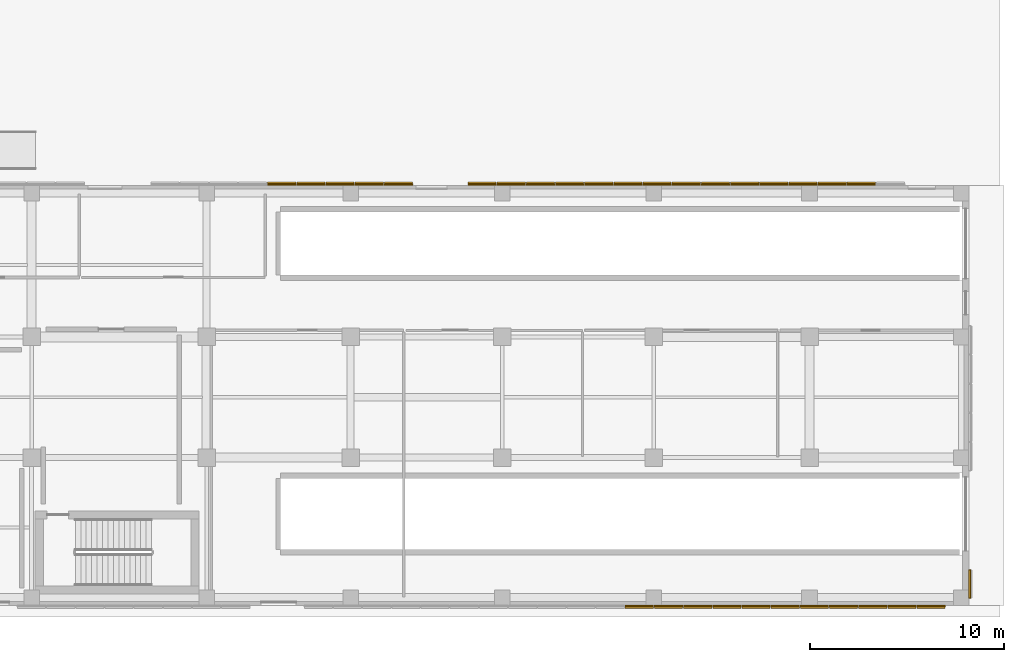
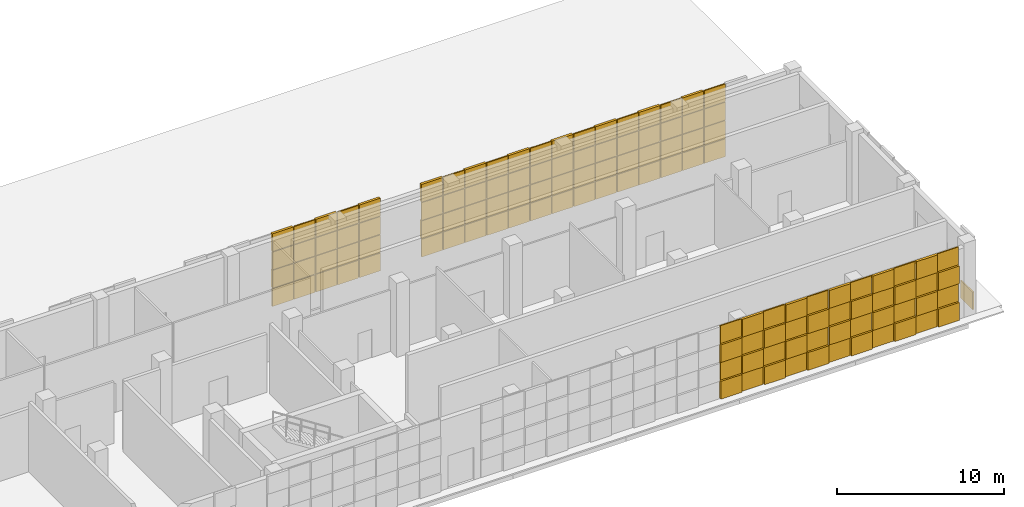
# One storey, part 39 of 40: 121 coverings.
"""IFC4 building model written with IfcOpenShell, lengths in metres."""

from ifc_helpers import new_model, si_unit, direction, frame, origin, origin_2d, place, context, subcontext, project, spatial, rectangle, extrude, material, layer, layer_set, type_object, element, save


model = new_model("IFC4")

# Units and contexts
model_context = context("Model", 3, precision=1e-05, world=origin(), true_north=direction((0.0, 1.0)))
body_context = subcontext(model_context, "Body", "Model", "MODEL_VIEW")
ifc_project = project(units=[si_unit("LENGTHUNIT", "METRE"), si_unit("AREAUNIT", "SQUARE_METRE"), si_unit("VOLUMEUNIT", "CUBIC_METRE"), si_unit("PLANEANGLEUNIT", "RADIAN"), si_unit("MASSUNIT", "GRAM", prefix="KILO")], contexts=[model_context])

# Site, building, storey
site_placement = place(None, origin())
site = spatial("IfcSite", under=ifc_project, at=site_placement, CompositionType="ELEMENT")
building_placement = place(site_placement, origin())
building = spatial("IfcBuilding", under=site, at=building_placement, Name="Qalavern Law Courts", CompositionType="ELEMENT")
storey_placement = place(building_placement, origin())
storey = spatial("IfcBuildingStorey", under=building, at=storey_placement, Name="L00", CompositionType="ELEMENT", Elevation=0.0)

# Coverings
ifc_material = material(Name="Precast concrete C40/50", Category="concrete")
ifc_layer_1 = layer(ifc_material, 0.06005859375)
ifc_layer_set_1 = layer_set([ifc_layer_1], Name="Precast concrete C40/50")
covering_type_1 = type_object("IfcCoveringType", Name="ENV-CLD-1", PredefinedType="CLADDING", material=ifc_layer_set_1)
for number, where, z_axis, x_axis, name in (
    (1, (149.050048828125, 0.919921875, 2.719970703125), (0.0, 0.0, 1.0), (1.0, 0.0, 0.0), "Cast drop-relief street-base tile 1467"),
    (2, (150.550048828125, 0.919921875, 1.385009765625), (0.0, 0.0, 1.0), (1.0, 0.0, 0.0), "Cast drop-relief street-base tile 1470"),
    (3, (152.050048828125, 0.919921875, 0.050048828125), (0.0, 0.0, 1.0), (1.0, 0.0, 0.0), "Cast drop-relief street-base tile 1473"),
):
    element("IfcCovering", number, at=place(storey_placement, frame(where, z_axis=z_axis, x_axis=x_axis)), inside=storey, type_object=covering_type_1, Name=name, PredefinedType="CLADDING", context=body_context, shape_type="SweptSolid", body=[
        extrude(rectangle(XDim=1.449951171875, YDim=0.16796875, at=origin_2d()), origin(), (0.0, 0.0, 1.0), 1.294921875),
    ])
for number, where, z_axis, x_axis, name in (
    (4, (152.050048828125, 0.9619140625, 4.054931640625), (0.0, 0.0, 1.0), (1.0, 0.0, 0.0), "Cast drop-relief street-base tile 1476"),
    (5, (153.550048828125, 0.9619140625, 2.719970703125), (0.0, 0.0, 1.0), (1.0, 0.0, 0.0), "Cast drop-relief street-base tile 1479"),
    (6, (155.050048828125, 0.9619140625, 1.385009765625), (0.0, 0.0, 1.0), (1.0, 0.0, 0.0), "Cast drop-relief street-base tile 1482"),
    (7, (156.550048828125, 0.9619140625, 0.050048828125), (0.0, 0.0, 1.0), (1.0, 0.0, 0.0), "Cast drop-relief street-base tile 1485"),
):
    element("IfcCovering", number, at=place(storey_placement, frame(where, z_axis=z_axis, x_axis=x_axis)), inside=storey, type_object=covering_type_1, Name=name, PredefinedType="CLADDING", context=body_context, shape_type="SweptSolid", body=[
        extrude(rectangle(XDim=1.449951171875, YDim=0.083984375, at=origin_2d()), origin(), (0.0, 0.0, 1.0), 1.294921875),
    ])
for number, where, z_axis, x_axis, name in (
    (8, (156.550048828125, 0.919921875, 4.054931640625), (0.0, 0.0, 1.0), (1.0, 0.0, 0.0), "Cast drop-relief street-base tile 1488"),
    (9, (158.050048828125, 0.919921875, 2.719970703125), (0.0, 0.0, 1.0), (1.0, 0.0, 0.0), "Cast drop-relief street-base tile 1491"),
    (10, (159.550048828125, 0.919921875, 1.385009765625), (0.0, 0.0, 1.0), (1.0, 0.0, 0.0), "Cast drop-relief street-base tile 1494"),
    (11, (161.050048828125, 0.919921875, 0.050048828125), (0.0, 0.0, 1.0), (1.0, 0.0, 0.0), "Cast drop-relief street-base tile 1497"),
):
    element("IfcCovering", number, at=place(storey_placement, frame(where, z_axis=z_axis, x_axis=x_axis)), inside=storey, type_object=covering_type_1, Name=name, PredefinedType="CLADDING", context=body_context, shape_type="SweptSolid", body=[
        extrude(rectangle(XDim=1.449951171875, YDim=0.16796875, at=origin_2d()), origin(), (0.0, 0.0, 1.0), 1.294921875),
    ])
for number, where, z_axis, x_axis, name in (
    (12, (161.050048828125, 0.9619140625, 4.054931640625), (0.0, 0.0, 1.0), (1.0, 0.0, 0.0), "Cast drop-relief street-base tile 1500"),
    (13, (162.550048828125, 0.9619140625, 2.719970703125), (0.0, 0.0, 1.0), (1.0, 0.0, 0.0), "Cast drop-relief street-base tile 1503"),
    (14, (164.050048828125, 0.9619140625, 1.385009765625), (0.0, 0.0, 1.0), (1.0, 0.0, 0.0), "Cast drop-relief street-base tile 1506"),
):
    element("IfcCovering", number, at=place(storey_placement, frame(where, z_axis=z_axis, x_axis=x_axis)), inside=storey, type_object=covering_type_1, Name=name, PredefinedType="CLADDING", context=body_context, shape_type="SweptSolid", body=[
        extrude(rectangle(XDim=1.449951171875, YDim=0.083984375, at=origin_2d()), origin(), (0.0, 0.0, 1.0), 1.294921875),
    ])
covering_1_placement = place(storey_placement, frame((160.465087890625, 22.679931640625, 0.050048828125), z_axis=(0.0, 0.0, 1.0), x_axis=(-1.0, 0.0, 0.0)))
element("IfcCovering", 15, at=covering_1_placement, inside=storey, type_object=covering_type_1, Name="Cast drop-relief street-base tile 1537", PredefinedType="CLADDING", context=body_context, shape_type="SweptSolid", body=[
    extrude(rectangle(XDim=1.449951171875, YDim=0.16796875, at=origin_2d()), origin(), (0.0, 0.0, 1.0), 1.294921875),
])
for number, where, z_axis, x_axis, name in (
    (16, (160.465087890625, 22.637939453125, 4.054931640625), (0.0, 0.0, 1.0), (-1.0, 0.0, 0.0), "Cast drop-relief street-base tile 1540"),
    (17, (158.965087890625, 22.637939453125, 2.719970703125), (0.0, 0.0, 1.0), (-1.0, 0.0, 0.0), "Cast drop-relief street-base tile 1543"),
    (18, (157.465087890625, 22.637939453125, 1.385009765625), (0.0, 0.0, 1.0), (-1.0, 0.0, 0.0), "Cast drop-relief street-base tile 1546"),
    (19, (155.965087890625, 22.637939453125, 0.050048828125), (0.0, 0.0, 1.0), (-1.0, 0.0, 0.0), "Cast drop-relief street-base tile 1549"),
):
    element("IfcCovering", number, at=place(storey_placement, frame(where, z_axis=z_axis, x_axis=x_axis)), inside=storey, type_object=covering_type_1, Name=name, PredefinedType="CLADDING", context=body_context, shape_type="SweptSolid", body=[
        extrude(rectangle(XDim=1.449951171875, YDim=0.083984375, at=origin_2d()), origin(), (0.0, 0.0, 1.0), 1.294921875),
    ])
for number, where, z_axis, x_axis, name in (
    (20, (155.965087890625, 22.679931640625, 4.054931640625), (0.0, 0.0, 1.0), (-1.0, 0.0, 0.0), "Cast drop-relief street-base tile 1552"),
    (21, (154.465087890625, 22.679931640625, 2.719970703125), (0.0, 0.0, 1.0), (-1.0, 0.0, 0.0), "Cast drop-relief street-base tile 1555"),
    (22, (152.965087890625, 22.679931640625, 1.385009765625), (0.0, 0.0, 1.0), (-1.0, 0.0, 0.0), "Cast drop-relief street-base tile 1558"),
    (23, (151.465087890625, 22.679931640625, 0.050048828125), (0.0, 0.0, 1.0), (-1.0, 0.0, 0.0), "Cast drop-relief street-base tile 1561"),
):
    element("IfcCovering", number, at=place(storey_placement, frame(where, z_axis=z_axis, x_axis=x_axis)), inside=storey, type_object=covering_type_1, Name=name, PredefinedType="CLADDING", context=body_context, shape_type="SweptSolid", body=[
        extrude(rectangle(XDim=1.449951171875, YDim=0.16796875, at=origin_2d()), origin(), (0.0, 0.0, 1.0), 1.294921875),
    ])
for number, where, z_axis, x_axis, name in (
    (24, (151.465087890625, 22.637939453125, 4.054931640625), (0.0, 0.0, 1.0), (-1.0, 0.0, 0.0), "Cast drop-relief street-base tile 1564"),
    (25, (149.965087890625, 22.637939453125, 2.719970703125), (0.0, 0.0, 1.0), (-1.0, 0.0, 0.0), "Cast drop-relief street-base tile 1567"),
    (26, (148.465087890625, 22.637939453125, 1.385009765625), (0.0, 0.0, 1.0), (-1.0, 0.0, 0.0), "Cast drop-relief street-base tile 1570"),
    (27, (146.965087890625, 22.637939453125, 0.050048828125), (0.0, 0.0, 1.0), (-1.0, 0.0, 0.0), "Cast drop-relief street-base tile 1573"),
):
    element("IfcCovering", number, at=place(storey_placement, frame(where, z_axis=z_axis, x_axis=x_axis)), inside=storey, type_object=covering_type_1, Name=name, PredefinedType="CLADDING", context=body_context, shape_type="SweptSolid", body=[
        extrude(rectangle(XDim=1.449951171875, YDim=0.083984375, at=origin_2d()), origin(), (0.0, 0.0, 1.0), 1.294921875),
    ])
for number, where, z_axis, x_axis, name in (
    (28, (146.965087890625, 22.679931640625, 4.054931640625), (0.0, 0.0, 1.0), (-1.0, 0.0, 0.0), "Cast drop-relief street-base tile 1576"),
    (29, (145.465087890625, 22.679931640625, 2.719970703125), (0.0, 0.0, 1.0), (-1.0, 0.0, 0.0), "Cast drop-relief street-base tile 1579"),
    (30, (143.965087890625, 22.679931640625, 1.385009765625), (0.0, 0.0, 1.0), (-1.0, 0.0, 0.0), "Cast drop-relief street-base tile 1582"),
    (31, (142.465087890625, 22.679931640625, 0.050048828125), (0.0, 0.0, 1.0), (-1.0, 0.0, 0.0), "Cast drop-relief street-base tile 1585"),
):
    element("IfcCovering", number, at=place(storey_placement, frame(where, z_axis=z_axis, x_axis=x_axis)), inside=storey, type_object=covering_type_1, Name=name, PredefinedType="CLADDING", context=body_context, shape_type="SweptSolid", body=[
        extrude(rectangle(XDim=1.449951171875, YDim=0.16796875, at=origin_2d()), origin(), (0.0, 0.0, 1.0), 1.294921875),
    ])
for number, where, z_axis, x_axis, name in (
    (32, (142.465087890625, 22.637939453125, 4.054931640625), (0.0, 0.0, 1.0), (-1.0, 0.0, 0.0), "Cast drop-relief street-base tile 1588"),
    (33, (140.965087890625, 22.637939453125, 2.719970703125), (0.0, 0.0, 1.0), (-1.0, 0.0, 0.0), "Cast drop-relief street-base tile 1591"),
):
    element("IfcCovering", number, at=place(storey_placement, frame(where, z_axis=z_axis, x_axis=x_axis)), inside=storey, type_object=covering_type_1, Name=name, PredefinedType="CLADDING", context=body_context, shape_type="SweptSolid", body=[
        extrude(rectangle(XDim=1.449951171875, YDim=0.083984375, at=origin_2d()), origin(), (0.0, 0.0, 1.0), 1.294921875),
    ])
for number, where, z_axis, x_axis, name in (
    (34, (136.6650390625, 22.679931640625, 1.385009765625), (0.0, 0.0, 1.0), (-1.0, 0.0, 0.0), "Cast drop-relief street-base tile 1594"),
    (35, (135.1650390625, 22.679931640625, 0.050048828125), (0.0, 0.0, 1.0), (-1.0, 0.0, 0.0), "Cast drop-relief street-base tile 1597"),
):
    element("IfcCovering", number, at=place(storey_placement, frame(where, z_axis=z_axis, x_axis=x_axis)), inside=storey, type_object=covering_type_1, Name=name, PredefinedType="CLADDING", context=body_context, shape_type="SweptSolid", body=[
        extrude(rectangle(XDim=1.449951171875, YDim=0.16796875, at=origin_2d()), origin(), (0.0, 0.0, 1.0), 1.294921875),
    ])
for number, where, z_axis, x_axis, name in (
    (36, (135.1650390625, 22.637939453125, 4.054931640625), (0.0, 0.0, 1.0), (-1.0, 0.0, 0.0), "Cast drop-relief street-base tile 1600"),
    (37, (133.6650390625, 22.637939453125, 2.719970703125), (0.0, 0.0, 1.0), (-1.0, 0.0, 0.0), "Cast drop-relief street-base tile 1603"),
    (38, (132.1650390625, 22.637939453125, 1.385009765625), (0.0, 0.0, 1.0), (-1.0, 0.0, 0.0), "Cast drop-relief street-base tile 1606"),
    (39, (130.6650390625, 22.637939453125, 0.050048828125), (0.0, 0.0, 1.0), (-1.0, 0.0, 0.0), "Cast drop-relief street-base tile 1609"),
):
    element("IfcCovering", number, at=place(storey_placement, frame(where, z_axis=z_axis, x_axis=x_axis)), inside=storey, type_object=covering_type_1, Name=name, PredefinedType="CLADDING", context=body_context, shape_type="SweptSolid", body=[
        extrude(rectangle(XDim=1.449951171875, YDim=0.083984375, at=origin_2d()), origin(), (0.0, 0.0, 1.0), 1.294921875),
    ])
covering_2_placement = place(storey_placement, frame((130.6650390625, 22.679931640625, 4.054931640625), z_axis=(0.0, 0.0, 1.0), x_axis=(-1.0, 0.0, 0.0)))
element("IfcCovering", 40, at=covering_2_placement, inside=storey, type_object=covering_type_1, Name="Cast drop-relief street-base tile 1612", PredefinedType="CLADDING", context=body_context, shape_type="SweptSolid", body=[
    extrude(rectangle(XDim=1.449951171875, YDim=0.16796875, at=origin_2d()), origin(), (0.0, 0.0, 1.0), 1.294921875),
])
ifc_layer_2 = layer(ifc_material, 0.072021484375)
ifc_layer_set_2 = layer_set([ifc_layer_2], Name="Precast concrete C40/50")
covering_type_2 = type_object("IfcCoveringType", Name="ENV-CLD-2", PredefinedType="CLADDING", material=ifc_layer_set_2)
covering_3_placement = place(storey_placement, frame((149.050048828125, 0.919921875, 0.050048828125), z_axis=(0.0, 0.0, 1.0), x_axis=(1.0, 0.0, 0.0)))
element("IfcCovering", 41, at=covering_3_placement, inside=storey, type_object=covering_type_2, Name="Cast drop-relief street-base tile 1465", PredefinedType="CLADDING", context=body_context, shape_type="SweptSolid", body=[
    extrude(rectangle(XDim=1.449951171875, YDim=0.16796875, at=origin_2d()), origin(), (0.0, 0.0, 1.0), 1.294921875),
])
for number, where, z_axis, x_axis, name in (
    (42, (149.050048828125, 0.9619140625, 4.054931640625), (0.0, 0.0, 1.0), (1.0, 0.0, 0.0), "Cast drop-relief street-base tile 1468"),
    (43, (150.550048828125, 0.9619140625, 2.719970703125), (0.0, 0.0, 1.0), (1.0, 0.0, 0.0), "Cast drop-relief street-base tile 1471"),
    (44, (152.050048828125, 0.9619140625, 1.385009765625), (0.0, 0.0, 1.0), (1.0, 0.0, 0.0), "Cast drop-relief street-base tile 1474"),
    (45, (153.550048828125, 0.9619140625, 0.050048828125), (0.0, 0.0, 1.0), (1.0, 0.0, 0.0), "Cast drop-relief street-base tile 1477"),
):
    element("IfcCovering", number, at=place(storey_placement, frame(where, z_axis=z_axis, x_axis=x_axis)), inside=storey, type_object=covering_type_2, Name=name, PredefinedType="CLADDING", context=body_context, shape_type="SweptSolid", body=[
        extrude(rectangle(XDim=1.449951171875, YDim=0.083984375, at=origin_2d()), origin(), (0.0, 0.0, 1.0), 1.294921875),
    ])
for number, where, z_axis, x_axis, name in (
    (46, (153.550048828125, 0.919921875, 4.054931640625), (0.0, 0.0, 1.0), (1.0, 0.0, 0.0), "Cast drop-relief street-base tile 1480"),
    (47, (155.050048828125, 0.919921875, 2.719970703125), (0.0, 0.0, 1.0), (1.0, 0.0, 0.0), "Cast drop-relief street-base tile 1483"),
    (48, (156.550048828125, 0.919921875, 1.385009765625), (0.0, 0.0, 1.0), (1.0, 0.0, 0.0), "Cast drop-relief street-base tile 1486"),
    (49, (158.050048828125, 0.919921875, 0.050048828125), (0.0, 0.0, 1.0), (1.0, 0.0, 0.0), "Cast drop-relief street-base tile 1489"),
):
    element("IfcCovering", number, at=place(storey_placement, frame(where, z_axis=z_axis, x_axis=x_axis)), inside=storey, type_object=covering_type_2, Name=name, PredefinedType="CLADDING", context=body_context, shape_type="SweptSolid", body=[
        extrude(rectangle(XDim=1.449951171875, YDim=0.16796875, at=origin_2d()), origin(), (0.0, 0.0, 1.0), 1.294921875),
    ])
for number, where, z_axis, x_axis, name in (
    (50, (158.050048828125, 0.9619140625, 4.054931640625), (0.0, 0.0, 1.0), (1.0, 0.0, 0.0), "Cast drop-relief street-base tile 1492"),
    (51, (159.550048828125, 0.9619140625, 2.719970703125), (0.0, 0.0, 1.0), (1.0, 0.0, 0.0), "Cast drop-relief street-base tile 1495"),
    (52, (161.050048828125, 0.9619140625, 1.385009765625), (0.0, 0.0, 1.0), (1.0, 0.0, 0.0), "Cast drop-relief street-base tile 1498"),
    (53, (162.550048828125, 0.9619140625, 0.050048828125), (0.0, 0.0, 1.0), (1.0, 0.0, 0.0), "Cast drop-relief street-base tile 1501"),
):
    element("IfcCovering", number, at=place(storey_placement, frame(where, z_axis=z_axis, x_axis=x_axis)), inside=storey, type_object=covering_type_2, Name=name, PredefinedType="CLADDING", context=body_context, shape_type="SweptSolid", body=[
        extrude(rectangle(XDim=1.449951171875, YDim=0.083984375, at=origin_2d()), origin(), (0.0, 0.0, 1.0), 1.294921875),
    ])
for number, where, z_axis, x_axis, name in (
    (54, (162.550048828125, 0.919921875, 4.054931640625), (0.0, 0.0, 1.0), (1.0, 0.0, 0.0), "Cast drop-relief street-base tile 1504"),
    (55, (164.050048828125, 0.919921875, 2.719970703125), (0.0, 0.0, 1.0), (1.0, 0.0, 0.0), "Cast drop-relief street-base tile 1507"),
):
    element("IfcCovering", number, at=place(storey_placement, frame(where, z_axis=z_axis, x_axis=x_axis)), inside=storey, type_object=covering_type_2, Name=name, PredefinedType="CLADDING", context=body_context, shape_type="SweptSolid", body=[
        extrude(rectangle(XDim=1.449951171875, YDim=0.16796875, at=origin_2d()), origin(), (0.0, 0.0, 1.0), 1.294921875),
    ])
for number, where, z_axis, x_axis, name in (
    (56, (160.465087890625, 22.637939453125, 1.385009765625), (0.0, 0.0, 1.0), (-1.0, 0.0, 0.0), "Cast drop-relief street-base tile 1538"),
    (57, (158.965087890625, 22.637939453125, 0.050048828125), (0.0, 0.0, 1.0), (-1.0, 0.0, 0.0), "Cast drop-relief street-base tile 1541"),
):
    element("IfcCovering", number, at=place(storey_placement, frame(where, z_axis=z_axis, x_axis=x_axis)), inside=storey, type_object=covering_type_2, Name=name, PredefinedType="CLADDING", context=body_context, shape_type="SweptSolid", body=[
        extrude(rectangle(XDim=1.449951171875, YDim=0.083984375, at=origin_2d()), origin(), (0.0, 0.0, 1.0), 1.294921875),
    ])
for number, where, z_axis, x_axis, name in (
    (58, (158.965087890625, 22.679931640625, 4.054931640625), (0.0, 0.0, 1.0), (-1.0, 0.0, 0.0), "Cast drop-relief street-base tile 1544"),
    (59, (157.465087890625, 22.679931640625, 2.719970703125), (0.0, 0.0, 1.0), (-1.0, 0.0, 0.0), "Cast drop-relief street-base tile 1547"),
    (60, (155.965087890625, 22.679931640625, 1.385009765625), (0.0, 0.0, 1.0), (-1.0, 0.0, 0.0), "Cast drop-relief street-base tile 1550"),
    (61, (154.465087890625, 22.679931640625, 0.050048828125), (0.0, 0.0, 1.0), (-1.0, 0.0, 0.0), "Cast drop-relief street-base tile 1553"),
):
    element("IfcCovering", number, at=place(storey_placement, frame(where, z_axis=z_axis, x_axis=x_axis)), inside=storey, type_object=covering_type_2, Name=name, PredefinedType="CLADDING", context=body_context, shape_type="SweptSolid", body=[
        extrude(rectangle(XDim=1.449951171875, YDim=0.16796875, at=origin_2d()), origin(), (0.0, 0.0, 1.0), 1.294921875),
    ])
for number, where, z_axis, x_axis, name in (
    (62, (154.465087890625, 22.637939453125, 4.054931640625), (0.0, 0.0, 1.0), (-1.0, 0.0, 0.0), "Cast drop-relief street-base tile 1556"),
    (63, (152.965087890625, 22.637939453125, 2.719970703125), (0.0, 0.0, 1.0), (-1.0, 0.0, 0.0), "Cast drop-relief street-base tile 1559"),
    (64, (151.465087890625, 22.637939453125, 1.385009765625), (0.0, 0.0, 1.0), (-1.0, 0.0, 0.0), "Cast drop-relief street-base tile 1562"),
    (65, (149.965087890625, 22.637939453125, 0.050048828125), (0.0, 0.0, 1.0), (-1.0, 0.0, 0.0), "Cast drop-relief street-base tile 1565"),
):
    element("IfcCovering", number, at=place(storey_placement, frame(where, z_axis=z_axis, x_axis=x_axis)), inside=storey, type_object=covering_type_2, Name=name, PredefinedType="CLADDING", context=body_context, shape_type="SweptSolid", body=[
        extrude(rectangle(XDim=1.449951171875, YDim=0.083984375, at=origin_2d()), origin(), (0.0, 0.0, 1.0), 1.294921875),
    ])
for number, where, z_axis, x_axis, name in (
    (66, (149.965087890625, 22.679931640625, 4.054931640625), (0.0, 0.0, 1.0), (-1.0, 0.0, 0.0), "Cast drop-relief street-base tile 1568"),
    (67, (148.465087890625, 22.679931640625, 2.719970703125), (0.0, 0.0, 1.0), (-1.0, 0.0, 0.0), "Cast drop-relief street-base tile 1571"),
    (68, (146.965087890625, 22.679931640625, 1.385009765625), (0.0, 0.0, 1.0), (-1.0, 0.0, 0.0), "Cast drop-relief street-base tile 1574"),
    (69, (145.465087890625, 22.679931640625, 0.050048828125), (0.0, 0.0, 1.0), (-1.0, 0.0, 0.0), "Cast drop-relief street-base tile 1577"),
):
    element("IfcCovering", number, at=place(storey_placement, frame(where, z_axis=z_axis, x_axis=x_axis)), inside=storey, type_object=covering_type_2, Name=name, PredefinedType="CLADDING", context=body_context, shape_type="SweptSolid", body=[
        extrude(rectangle(XDim=1.449951171875, YDim=0.16796875, at=origin_2d()), origin(), (0.0, 0.0, 1.0), 1.294921875),
    ])
for number, where, z_axis, x_axis, name in (
    (70, (145.465087890625, 22.637939453125, 4.054931640625), (0.0, 0.0, 1.0), (-1.0, 0.0, 0.0), "Cast drop-relief street-base tile 1580"),
    (71, (143.965087890625, 22.637939453125, 2.719970703125), (0.0, 0.0, 1.0), (-1.0, 0.0, 0.0), "Cast drop-relief street-base tile 1583"),
    (72, (142.465087890625, 22.637939453125, 1.385009765625), (0.0, 0.0, 1.0), (-1.0, 0.0, 0.0), "Cast drop-relief street-base tile 1586"),
    (73, (140.965087890625, 22.637939453125, 0.050048828125), (0.0, 0.0, 1.0), (-1.0, 0.0, 0.0), "Cast drop-relief street-base tile 1589"),
):
    element("IfcCovering", number, at=place(storey_placement, frame(where, z_axis=z_axis, x_axis=x_axis)), inside=storey, type_object=covering_type_2, Name=name, PredefinedType="CLADDING", context=body_context, shape_type="SweptSolid", body=[
        extrude(rectangle(XDim=1.449951171875, YDim=0.083984375, at=origin_2d()), origin(), (0.0, 0.0, 1.0), 1.294921875),
    ])
covering_4_placement = place(storey_placement, frame((140.965087890625, 22.679931640625, 4.054931640625), z_axis=(0.0, 0.0, 1.0), x_axis=(-1.0, 0.0, 0.0)))
element("IfcCovering", 74, at=covering_4_placement, inside=storey, type_object=covering_type_2, Name="Cast drop-relief street-base tile 1592", PredefinedType="CLADDING", context=body_context, shape_type="SweptSolid", body=[
    extrude(rectangle(XDim=1.449951171875, YDim=0.16796875, at=origin_2d()), origin(), (0.0, 0.0, 1.0), 1.294921875),
])
for number, where, z_axis, x_axis, name in (
    (75, (136.6650390625, 22.637939453125, 2.719970703125), (0.0, 0.0, 1.0), (-1.0, 0.0, 0.0), "Cast drop-relief street-base tile 1595"),
    (76, (135.1650390625, 22.637939453125, 1.385009765625), (0.0, 0.0, 1.0), (-1.0, 0.0, 0.0), "Cast drop-relief street-base tile 1598"),
    (77, (133.6650390625, 22.637939453125, 0.050048828125), (0.0, 0.0, 1.0), (-1.0, 0.0, 0.0), "Cast drop-relief street-base tile 1601"),
):
    element("IfcCovering", number, at=place(storey_placement, frame(where, z_axis=z_axis, x_axis=x_axis)), inside=storey, type_object=covering_type_2, Name=name, PredefinedType="CLADDING", context=body_context, shape_type="SweptSolid", body=[
        extrude(rectangle(XDim=1.449951171875, YDim=0.083984375, at=origin_2d()), origin(), (0.0, 0.0, 1.0), 1.294921875),
    ])
for number, where, z_axis, x_axis, name in (
    (78, (133.6650390625, 22.679931640625, 4.054931640625), (0.0, 0.0, 1.0), (-1.0, 0.0, 0.0), "Cast drop-relief street-base tile 1604"),
    (79, (132.1650390625, 22.679931640625, 2.719970703125), (0.0, 0.0, 1.0), (-1.0, 0.0, 0.0), "Cast drop-relief street-base tile 1607"),
    (80, (130.6650390625, 22.679931640625, 1.385009765625), (0.0, 0.0, 1.0), (-1.0, 0.0, 0.0), "Cast drop-relief street-base tile 1610"),
):
    element("IfcCovering", number, at=place(storey_placement, frame(where, z_axis=z_axis, x_axis=x_axis)), inside=storey, type_object=covering_type_2, Name=name, PredefinedType="CLADDING", context=body_context, shape_type="SweptSolid", body=[
        extrude(rectangle(XDim=1.449951171875, YDim=0.16796875, at=origin_2d()), origin(), (0.0, 0.0, 1.0), 1.294921875),
    ])
ifc_layer_3 = layer(ifc_material, 0.083984375)
ifc_layer_set_3 = layer_set([ifc_layer_3], Name="Precast concrete C40/50")
covering_type_3 = type_object("IfcCoveringType", Name="ENV-CLD-3", PredefinedType="CLADDING", material=ifc_layer_set_3)
for number, where, z_axis, x_axis, name in (
    (81, (149.050048828125, 0.9619140625, 1.385009765625), (0.0, 0.0, 1.0), (1.0, 0.0, 0.0), "Cast drop-relief street-base tile 1466"),
    (82, (150.550048828125, 0.9619140625, 0.050048828125), (0.0, 0.0, 1.0), (1.0, 0.0, 0.0), "Cast drop-relief street-base tile 1469"),
):
    element("IfcCovering", number, at=place(storey_placement, frame(where, z_axis=z_axis, x_axis=x_axis)), inside=storey, type_object=covering_type_3, Name=name, PredefinedType="CLADDING", context=body_context, shape_type="SweptSolid", body=[
        extrude(rectangle(XDim=1.449951171875, YDim=0.083984375, at=origin_2d()), origin(), (0.0, 0.0, 1.0), 1.294921875),
    ])
for number, where, z_axis, x_axis, name in (
    (83, (150.550048828125, 0.919921875, 4.054931640625), (0.0, 0.0, 1.0), (1.0, 0.0, 0.0), "Cast drop-relief street-base tile 1472"),
    (84, (152.050048828125, 0.919921875, 2.719970703125), (0.0, 0.0, 1.0), (1.0, 0.0, 0.0), "Cast drop-relief street-base tile 1475"),
    (85, (153.550048828125, 0.919921875, 1.385009765625), (0.0, 0.0, 1.0), (1.0, 0.0, 0.0), "Cast drop-relief street-base tile 1478"),
    (86, (155.050048828125, 0.919921875, 0.050048828125), (0.0, 0.0, 1.0), (1.0, 0.0, 0.0), "Cast drop-relief street-base tile 1481"),
):
    element("IfcCovering", number, at=place(storey_placement, frame(where, z_axis=z_axis, x_axis=x_axis)), inside=storey, type_object=covering_type_3, Name=name, PredefinedType="CLADDING", context=body_context, shape_type="SweptSolid", body=[
        extrude(rectangle(XDim=1.449951171875, YDim=0.16796875, at=origin_2d()), origin(), (0.0, 0.0, 1.0), 1.294921875),
    ])
for number, where, z_axis, x_axis, name in (
    (87, (155.050048828125, 0.9619140625, 4.054931640625), (0.0, 0.0, 1.0), (1.0, 0.0, 0.0), "Cast drop-relief street-base tile 1484"),
    (88, (156.550048828125, 0.9619140625, 2.719970703125), (0.0, 0.0, 1.0), (1.0, 0.0, 0.0), "Cast drop-relief street-base tile 1487"),
    (89, (158.050048828125, 0.9619140625, 1.385009765625), (0.0, 0.0, 1.0), (1.0, 0.0, 0.0), "Cast drop-relief street-base tile 1490"),
    (90, (159.550048828125, 0.9619140625, 0.050048828125), (0.0, 0.0, 1.0), (1.0, 0.0, 0.0), "Cast drop-relief street-base tile 1493"),
):
    element("IfcCovering", number, at=place(storey_placement, frame(where, z_axis=z_axis, x_axis=x_axis)), inside=storey, type_object=covering_type_3, Name=name, PredefinedType="CLADDING", context=body_context, shape_type="SweptSolid", body=[
        extrude(rectangle(XDim=1.449951171875, YDim=0.083984375, at=origin_2d()), origin(), (0.0, 0.0, 1.0), 1.294921875),
    ])
for number, where, z_axis, x_axis, name in (
    (91, (159.550048828125, 0.919921875, 4.054931640625), (0.0, 0.0, 1.0), (1.0, 0.0, 0.0), "Cast drop-relief street-base tile 1496"),
    (92, (161.050048828125, 0.919921875, 2.719970703125), (0.0, 0.0, 1.0), (1.0, 0.0, 0.0), "Cast drop-relief street-base tile 1499"),
    (93, (162.550048828125, 0.919921875, 1.385009765625), (0.0, 0.0, 1.0), (1.0, 0.0, 0.0), "Cast drop-relief street-base tile 1502"),
    (94, (164.050048828125, 0.919921875, 0.050048828125), (0.0, 0.0, 1.0), (1.0, 0.0, 0.0), "Cast drop-relief street-base tile 1505"),
):
    element("IfcCovering", number, at=place(storey_placement, frame(where, z_axis=z_axis, x_axis=x_axis)), inside=storey, type_object=covering_type_3, Name=name, PredefinedType="CLADDING", context=body_context, shape_type="SweptSolid", body=[
        extrude(rectangle(XDim=1.449951171875, YDim=0.16796875, at=origin_2d()), origin(), (0.0, 0.0, 1.0), 1.294921875),
    ])
for number, where, z_axis, x_axis, name in (
    (95, (164.050048828125, 0.9619140625, 4.054931640625), (0.0, 0.0, 1.0), (1.0, 0.0, 0.0), "Cast drop-relief street-base tile 1508"),
    (96, (166.0380859375, 2.10009765625, 0.050048828125), (0.0, 0.0, 1.0), (0.0, 1.0, 0.0), "Cast drop-relief street-base tile 1509"),
):
    element("IfcCovering", number, at=place(storey_placement, frame(where, z_axis=z_axis, x_axis=x_axis)), inside=storey, type_object=covering_type_3, Name=name, PredefinedType="CLADDING", context=body_context, shape_type="SweptSolid", body=[
        extrude(rectangle(XDim=1.449951171875, YDim=0.083984375, at=origin_2d()), origin(), (0.0, 0.0, 1.0), 1.294921875),
    ])
for number, where, z_axis, x_axis, name in (
    (97, (160.465087890625, 22.679931640625, 2.719970703125), (0.0, 0.0, 1.0), (-1.0, 0.0, 0.0), "Cast drop-relief street-base tile 1539"),
    (98, (158.965087890625, 22.679931640625, 1.385009765625), (0.0, 0.0, 1.0), (-1.0, 0.0, 0.0), "Cast drop-relief street-base tile 1542"),
    (99, (157.465087890625, 22.679931640625, 0.050048828125), (0.0, 0.0, 1.0), (-1.0, 0.0, 0.0), "Cast drop-relief street-base tile 1545"),
):
    element("IfcCovering", number, at=place(storey_placement, frame(where, z_axis=z_axis, x_axis=x_axis)), inside=storey, type_object=covering_type_3, Name=name, PredefinedType="CLADDING", context=body_context, shape_type="SweptSolid", body=[
        extrude(rectangle(XDim=1.449951171875, YDim=0.16796875, at=origin_2d()), origin(), (0.0, 0.0, 1.0), 1.294921875),
    ])
for number, where, z_axis, x_axis, name in (
    (100, (157.465087890625, 22.637939453125, 4.054931640625), (0.0, 0.0, 1.0), (-1.0, 0.0, 0.0), "Cast drop-relief street-base tile 1548"),
    (101, (155.965087890625, 22.637939453125, 2.719970703125), (0.0, 0.0, 1.0), (-1.0, 0.0, 0.0), "Cast drop-relief street-base tile 1551"),
    (102, (154.465087890625, 22.637939453125, 1.385009765625), (0.0, 0.0, 1.0), (-1.0, 0.0, 0.0), "Cast drop-relief street-base tile 1554"),
    (103, (152.965087890625, 22.637939453125, 0.050048828125), (0.0, 0.0, 1.0), (-1.0, 0.0, 0.0), "Cast drop-relief street-base tile 1557"),
):
    element("IfcCovering", number, at=place(storey_placement, frame(where, z_axis=z_axis, x_axis=x_axis)), inside=storey, type_object=covering_type_3, Name=name, PredefinedType="CLADDING", context=body_context, shape_type="SweptSolid", body=[
        extrude(rectangle(XDim=1.449951171875, YDim=0.083984375, at=origin_2d()), origin(), (0.0, 0.0, 1.0), 1.294921875),
    ])
for number, where, z_axis, x_axis, name in (
    (104, (152.965087890625, 22.679931640625, 4.054931640625), (0.0, 0.0, 1.0), (-1.0, 0.0, 0.0), "Cast drop-relief street-base tile 1560"),
    (105, (151.465087890625, 22.679931640625, 2.719970703125), (0.0, 0.0, 1.0), (-1.0, 0.0, 0.0), "Cast drop-relief street-base tile 1563"),
    (106, (149.965087890625, 22.679931640625, 1.385009765625), (0.0, 0.0, 1.0), (-1.0, 0.0, 0.0), "Cast drop-relief street-base tile 1566"),
    (107, (148.465087890625, 22.679931640625, 0.050048828125), (0.0, 0.0, 1.0), (-1.0, 0.0, 0.0), "Cast drop-relief street-base tile 1569"),
):
    element("IfcCovering", number, at=place(storey_placement, frame(where, z_axis=z_axis, x_axis=x_axis)), inside=storey, type_object=covering_type_3, Name=name, PredefinedType="CLADDING", context=body_context, shape_type="SweptSolid", body=[
        extrude(rectangle(XDim=1.449951171875, YDim=0.16796875, at=origin_2d()), origin(), (0.0, 0.0, 1.0), 1.294921875),
    ])
for number, where, z_axis, x_axis, name in (
    (108, (148.465087890625, 22.637939453125, 4.054931640625), (0.0, 0.0, 1.0), (-1.0, 0.0, 0.0), "Cast drop-relief street-base tile 1572"),
    (109, (146.965087890625, 22.637939453125, 2.719970703125), (0.0, 0.0, 1.0), (-1.0, 0.0, 0.0), "Cast drop-relief street-base tile 1575"),
    (110, (145.465087890625, 22.637939453125, 1.385009765625), (0.0, 0.0, 1.0), (-1.0, 0.0, 0.0), "Cast drop-relief street-base tile 1578"),
    (111, (143.965087890625, 22.637939453125, 0.050048828125), (0.0, 0.0, 1.0), (-1.0, 0.0, 0.0), "Cast drop-relief street-base tile 1581"),
):
    element("IfcCovering", number, at=place(storey_placement, frame(where, z_axis=z_axis, x_axis=x_axis)), inside=storey, type_object=covering_type_3, Name=name, PredefinedType="CLADDING", context=body_context, shape_type="SweptSolid", body=[
        extrude(rectangle(XDim=1.449951171875, YDim=0.083984375, at=origin_2d()), origin(), (0.0, 0.0, 1.0), 1.294921875),
    ])
for number, where, z_axis, x_axis, name in (
    (112, (143.965087890625, 22.679931640625, 4.054931640625), (0.0, 0.0, 1.0), (-1.0, 0.0, 0.0), "Cast drop-relief street-base tile 1584"),
    (113, (142.465087890625, 22.679931640625, 2.719970703125), (0.0, 0.0, 1.0), (-1.0, 0.0, 0.0), "Cast drop-relief street-base tile 1587"),
    (114, (140.965087890625, 22.679931640625, 1.385009765625), (0.0, 0.0, 1.0), (-1.0, 0.0, 0.0), "Cast drop-relief street-base tile 1590"),
):
    element("IfcCovering", number, at=place(storey_placement, frame(where, z_axis=z_axis, x_axis=x_axis)), inside=storey, type_object=covering_type_3, Name=name, PredefinedType="CLADDING", context=body_context, shape_type="SweptSolid", body=[
        extrude(rectangle(XDim=1.449951171875, YDim=0.16796875, at=origin_2d()), origin(), (0.0, 0.0, 1.0), 1.294921875),
    ])
covering_5_placement = place(storey_placement, frame((136.6650390625, 22.637939453125, 0.050048828125), z_axis=(0.0, 0.0, 1.0), x_axis=(-1.0, 0.0, 0.0)))
element("IfcCovering", 115, at=covering_5_placement, inside=storey, type_object=covering_type_3, Name="Cast drop-relief street-base tile 1593", PredefinedType="CLADDING", context=body_context, shape_type="SweptSolid", body=[
    extrude(rectangle(XDim=1.449951171875, YDim=0.083984375, at=origin_2d()), origin(), (0.0, 0.0, 1.0), 1.294921875),
])
for number, where, z_axis, x_axis, name in (
    (116, (136.6650390625, 22.679931640625, 4.054931640625), (0.0, 0.0, 1.0), (-1.0, 0.0, 0.0), "Cast drop-relief street-base tile 1596"),
    (117, (135.1650390625, 22.679931640625, 2.719970703125), (0.0, 0.0, 1.0), (-1.0, 0.0, 0.0), "Cast drop-relief street-base tile 1599"),
    (118, (133.6650390625, 22.679931640625, 1.385009765625), (0.0, 0.0, 1.0), (-1.0, 0.0, 0.0), "Cast drop-relief street-base tile 1602"),
    (119, (132.1650390625, 22.679931640625, 0.050048828125), (0.0, 0.0, 1.0), (-1.0, 0.0, 0.0), "Cast drop-relief street-base tile 1605"),
):
    element("IfcCovering", number, at=place(storey_placement, frame(where, z_axis=z_axis, x_axis=x_axis)), inside=storey, type_object=covering_type_3, Name=name, PredefinedType="CLADDING", context=body_context, shape_type="SweptSolid", body=[
        extrude(rectangle(XDim=1.449951171875, YDim=0.16796875, at=origin_2d()), origin(), (0.0, 0.0, 1.0), 1.294921875),
    ])
for number, where, z_axis, x_axis, name in (
    (120, (132.1650390625, 22.637939453125, 4.054931640625), (0.0, 0.0, 1.0), (-1.0, 0.0, 0.0), "Cast drop-relief street-base tile 1608"),
    (121, (130.6650390625, 22.637939453125, 2.719970703125), (0.0, 0.0, 1.0), (-1.0, 0.0, 0.0), "Cast drop-relief street-base tile 1611"),
):
    element("IfcCovering", number, at=place(storey_placement, frame(where, z_axis=z_axis, x_axis=x_axis)), inside=storey, type_object=covering_type_3, Name=name, PredefinedType="CLADDING", context=body_context, shape_type="SweptSolid", body=[
        extrude(rectangle(XDim=1.449951171875, YDim=0.083984375, at=origin_2d()), origin(), (0.0, 0.0, 1.0), 1.294921875),
    ])

save(model, "model.ifc")
